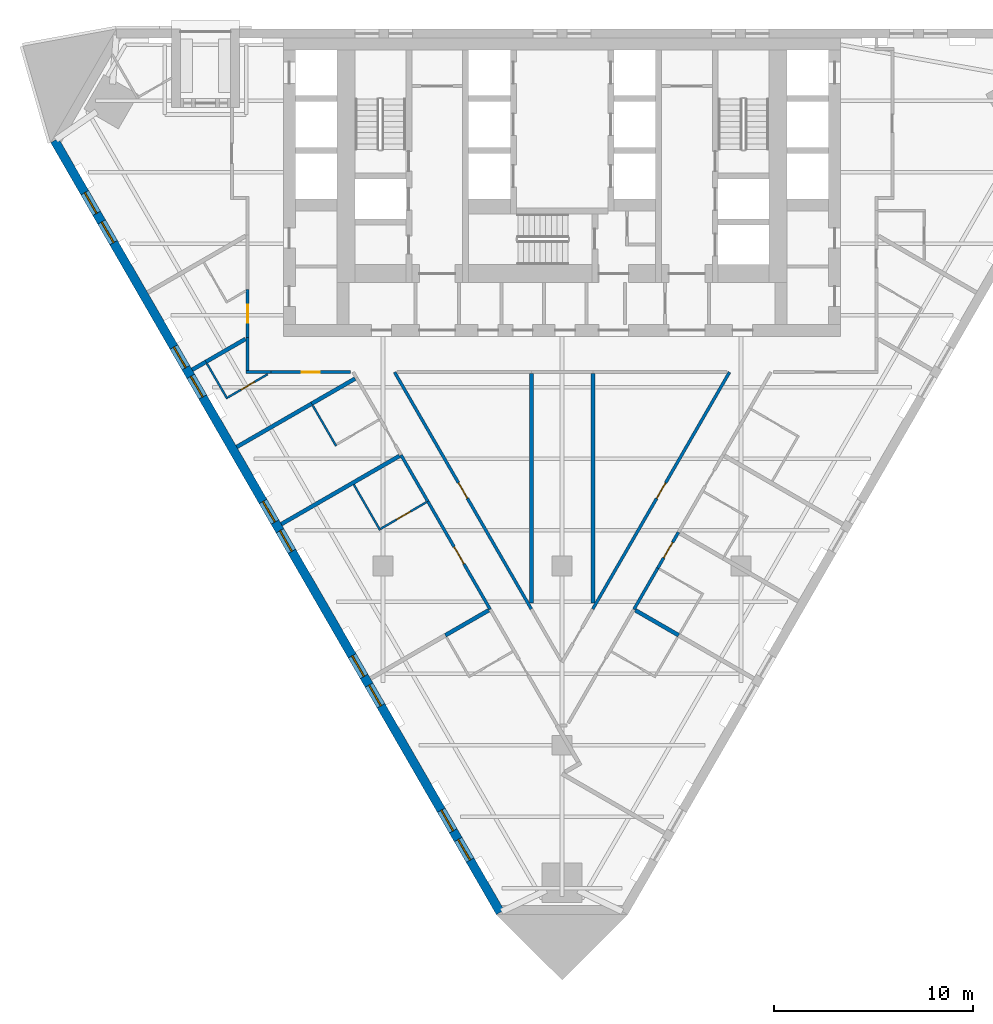
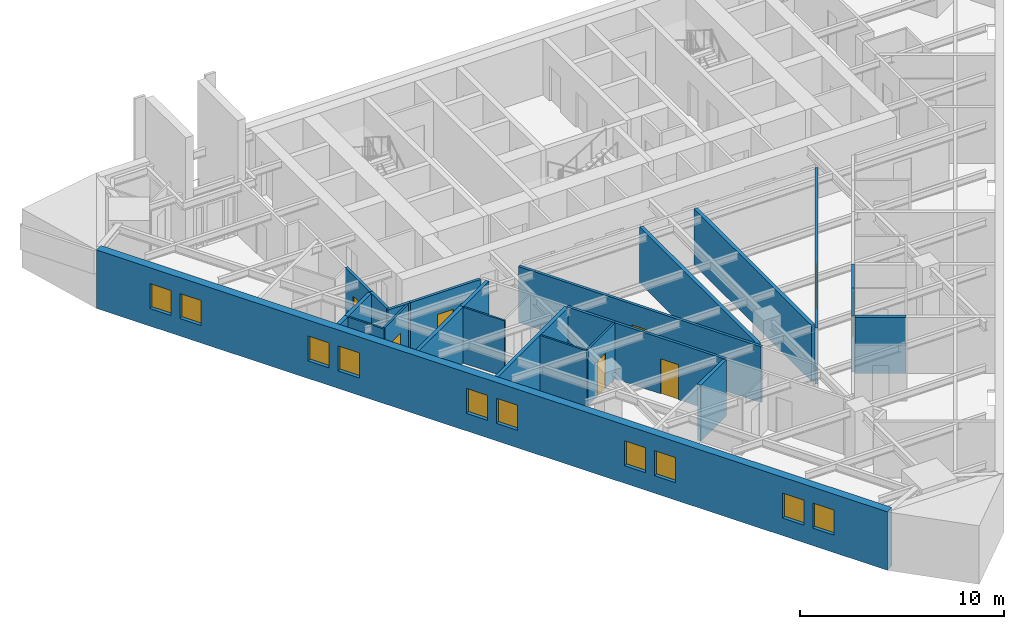
# One storey, part 3 of 10: 25 walls, 10 windows, 8 doors, 18 openings.
"""IFC4 building model written with IfcOpenShell, lengths in metres."""

import ifcopenshell
import ifcopenshell.guid

model = None  # the IFC model being written
_history = None  # IfcOwnerHistory: only IFC2X3 demands one
_inside = {}  # id of a spatial element -> (the spatial element, [elements in it])
_under = {}  # id of a project, library or spatial element -> (it, [spatial elements below it])
_declared = {}  # id of a project -> (the project, [libraries it declares])
_typed = {}  # id of a type object -> (the type object, [elements of that type])
_made_of = {}  # id of a material, layer set ... -> (it, [elements and type objects made of it])


def new_model(schema):
    """Start an empty IFC model of exactly this schema.

    Asked for "IFC4X3", IfcOpenShell would pick the latest addendum, in which some entities
    have other attributes; the version numbers below select the first issue.
    IFC2X3 requires an IfcOwnerHistory on every rooted entity: one is made here for all.
    """
    global model, _history
    if schema == "IFC4X3":
        model = ifcopenshell.file(schema_version=(4, 3, 0, 0))
    else:
        model = ifcopenshell.file(schema=schema)
    _inside.clear()
    _under.clear()
    _declared.clear()
    _typed.clear()
    _made_of.clear()
    _history = None
    if model.schema == "IFC2X3":
        org = make("IfcOrganization", Name="unknown")
        user = make(
            "IfcPersonAndOrganization",
            ThePerson=make("IfcPerson", FamilyName="unknown"),
            TheOrganization=org,
        )
        app = make(
            "IfcApplication",
            ApplicationDeveloper=org,
            Version="unknown",
            ApplicationFullName="unknown",
            ApplicationIdentifier="unknown",
        )
        _history = make(
            "IfcOwnerHistory",
            OwningUser=user,
            OwningApplication=app,
            ChangeAction="ADDED",
            CreationDate=0,
        )
    return model


def make(cls, **values):
    """One entity of the class cls with the attributes given. An attribute that is None is left unset."""
    return model.create_entity(
        cls, **{name: value for name, value in values.items() if value is not None}
    )


def rooted(cls, **values):
    """An entity with a GlobalId (a new one), such as an element, a storey or a relation."""
    return make(cls, GlobalId=ifcopenshell.guid.new(), OwnerHistory=_history, **values)


def si_unit(unit_type, name, prefix=None):
    """IfcSIUnit, for example si_unit("LENGTHUNIT", "METRE", prefix="MILLI")."""
    return make("IfcSIUnit", UnitType=unit_type, Prefix=prefix, Name=name)


def assignment(units):
    """IfcUnitAssignment: the units of a project."""
    return None if units is None else make("IfcUnitAssignment", Units=units)


def point(xyz):
    """IfcCartesianPoint."""
    return None if xyz is None else make("IfcCartesianPoint", Coordinates=xyz)


def direction(xyz):
    """IfcDirection."""
    return None if xyz is None else make("IfcDirection", DirectionRatios=xyz)


def frame(location, z_axis=None, x_axis=None):
    """IfcAxis2Placement3D, a coordinate frame: its origin and axes. An axis left out is left unset."""
    return make(
        "IfcAxis2Placement3D",
        Location=point(location),
        Axis=direction(z_axis),
        RefDirection=direction(x_axis),
    )


def frame_2d(location, x_axis=None):
    """IfcAxis2Placement2D, a coordinate frame in the plane: its origin and x axis."""
    return make(
        "IfcAxis2Placement2D", Location=point(location), RefDirection=direction(x_axis)
    )


def origin():
    """The frame at (0, 0, 0) with its axes left unset."""
    return frame((0.0, 0.0, 0.0))


def place(relative_to, where):
    """IfcLocalPlacement: puts the frame where relative to a parent placement (None: the world)."""
    return make(
        "IfcLocalPlacement", PlacementRelTo=relative_to, RelativePlacement=where
    )


def context(
    kind, dimensions, precision=None, world=None, true_north=None, identifier=None
):
    """IfcGeometricRepresentationContext, for example the 3D "Model" context."""
    return make(
        "IfcGeometricRepresentationContext",
        ContextIdentifier=identifier,
        ContextType=kind,
        CoordinateSpaceDimension=dimensions,
        Precision=precision,
        WorldCoordinateSystem=world,
        TrueNorth=true_north,
    )


def subcontext(parent, identifier, kind, view, scale=None):
    """IfcGeometricRepresentationSubContext, for example "Body" below "Model"."""
    return make(
        "IfcGeometricRepresentationSubContext",
        ContextIdentifier=identifier,
        ContextType=kind,
        ParentContext=parent,
        TargetScale=scale,
        TargetView=view,
    )


def project(units=None, contexts=None):
    """IfcProject with its units and contexts."""
    return rooted(
        "IfcProject",
        Name="project",
        RepresentationContexts=contexts,
        UnitsInContext=assignment(units),
    )


def spatial(cls, under=None, at=None, **own):
    """A site, building, storey or space (cls), placed at a placement, below another one or the project."""
    s = rooted(cls, ObjectPlacement=at, **own)
    if under is not None:
        _under.setdefault(under.id(), (under, []))[1].append(s)
    return s


def polyline(points):
    """IfcPolyline through the points."""
    return make("IfcPolyline", Points=[point(p) for p in points])


def profile(cls, at=None, kind="AREA", **sizes):
    """A parametric profile (cls). Its sizes go by their IFC names, for example OverallWidth=200.0."""
    return make(cls, ProfileType=kind, Position=at, **sizes)


def rectangle(**sizes):
    """IfcRectangleProfileDef."""
    return profile("IfcRectangleProfileDef", **sizes)


def outline(outer, holes=None, kind="AREA"):
    """IfcArbitraryClosedProfileDef: a profile drawn as a closed curve; with holes, ...WithVoids."""
    if holes is None:
        return make("IfcArbitraryClosedProfileDef", ProfileType=kind, OuterCurve=outer)
    return make(
        "IfcArbitraryProfileDefWithVoids",
        ProfileType=kind,
        OuterCurve=outer,
        InnerCurves=holes,
    )


def extrude(swept, where, along, depth):
    """IfcExtrudedAreaSolid: the profile swept, set in the frame where, extruded along a direction by depth."""
    return make(
        "IfcExtrudedAreaSolid",
        SweptArea=swept,
        Position=where,
        ExtrudedDirection=direction(along),
        Depth=depth,
    )


def shape(context_of_items, identifier, shape_type, items):
    """IfcShapeRepresentation: the items that make up one representation, for example the "Body"."""
    return make(
        "IfcShapeRepresentation",
        ContextOfItems=context_of_items,
        RepresentationIdentifier=identifier,
        RepresentationType=shape_type,
        Items=items,
    )


def material(Name=None, Category=None):
    """IfcMaterial."""
    return make("IfcMaterial", Name=Name, Category=Category)


def layer(
    of_material, thickness, ventilated=None, Name=None, Category=None, Priority=None
):
    """IfcMaterialLayer: one layer of a wall or slab, of a material (None: an air gap)."""
    return make(
        "IfcMaterialLayer",
        Material=of_material,
        LayerThickness=thickness,
        IsVentilated=ventilated,
        Name=Name,
        Category=Category,
        Priority=Priority,
    )


def layer_set(layers, Name=None):
    """IfcMaterialLayerSet."""
    return make("IfcMaterialLayerSet", MaterialLayers=layers, LayerSetName=Name)


def made_of(thing, what):
    """Note that an element or type object is made of a material, layer set ...; save() writes the relation."""
    if what is not None:
        _made_of.setdefault(what.id(), (what, []))[1].append(thing)
    return thing


def type_object(cls, material=None, **own):
    """A type object (cls), such as IfcWallType, which elements share."""
    return made_of(rooted(cls, **own), material)


def element(
    cls,
    number,
    at=None,
    inside=None,
    cuts=None,
    type_object=None,
    material=None,
    context=None,
    identifier="Body",
    shape_type=None,
    held_by="IfcProductDefinitionShape",
    body=None,
    shapes=None,
    **own,
):
    """One element of the class cls, such as IfcWall. Its Tag is "e" and its number.

    at: its placement. inside: the storey or other place that contains it. cuts: it is an
    opening in that element (IfcRelVoidsElement). A single representation is given by context,
    identifier, shape_type and body (its items); several are given by shapes. held_by: the class
    of the entity that holds the representations. save() writes the other relations.
    """
    e = rooted(cls, Tag="e%d" % number, ObjectPlacement=at, **own)
    if body is not None:
        shapes = [shape(context, identifier, shape_type, body)]
    if shapes is not None:
        e.Representation = make(held_by, Representations=shapes)
    if inside is not None:
        _inside.setdefault(inside.id(), (inside, []))[1].append(e)
    if cuts is not None:
        rooted(
            "IfcRelVoidsElement", RelatingBuildingElement=cuts, RelatedOpeningElement=e
        )
    if type_object is not None:
        _typed.setdefault(type_object.id(), (type_object, []))[1].append(e)
    return made_of(e, material)


def fill(opening, filler):
    """IfcRelFillsElement: the door or window that sits in an opening."""
    return rooted(
        "IfcRelFillsElement",
        RelatingOpeningElement=opening,
        RelatedBuildingElement=filler,
    )


def aggregate(whole, parts):
    """IfcRelAggregates: a whole, such as a stair, and the parts it consists of."""
    return rooted("IfcRelAggregates", RelatingObject=whole, RelatedObjects=parts)


def save(model, path):
    """Write the relations noted so far, then the file.

    IfcRelAggregates (storeys below a building ...), IfcRelContainedInSpatialStructure (elements
    in a storey), IfcRelDefinesByType, IfcRelAssociatesMaterial and IfcRelDeclares: one each for
    every whole, place, type object, material and project.
    """
    for whole, parts in _under.values():
        aggregate(whole, parts)
    for where, things in _inside.values():
        rooted(
            "IfcRelContainedInSpatialStructure",
            RelatedElements=things,
            RelatingStructure=where,
        )
    for kind, things in _typed.values():
        rooted("IfcRelDefinesByType", RelatedObjects=things, RelatingType=kind)
    for what, things in _made_of.values():
        rooted("IfcRelAssociatesMaterial", RelatedObjects=things, RelatingMaterial=what)
    for by, libraries in _declared.values():
        rooted("IfcRelDeclares", RelatingContext=by, RelatedDefinitions=libraries)
    model.write(path)


model = new_model("IFC4")

# Units and contexts
model_context = context("Model", 3, precision=1e-05, world=origin(), true_north=direction((0.0, 1.0)))
body_context = subcontext(model_context, "Body", "Model", "MODEL_VIEW")
ifc_project = project(units=[si_unit("LENGTHUNIT", "METRE"), si_unit("AREAUNIT", "SQUARE_METRE"), si_unit("VOLUMEUNIT", "CUBIC_METRE"), si_unit("PLANEANGLEUNIT", "RADIAN"), si_unit("MASSUNIT", "GRAM", prefix="KILO")], contexts=[model_context])

# Site, building, storey
site_placement = place(None, origin())
site = spatial("IfcSite", under=ifc_project, at=site_placement, CompositionType="ELEMENT")
building_placement = place(site_placement, origin())
building = spatial("IfcBuilding", under=site, at=building_placement, Name="Aloe Facet Convention Tower", CompositionType="ELEMENT")
storey_placement = place(building_placement, frame((0.0, 0.0, 45.5)))
storey = spatial("IfcBuildingStorey", under=building, at=storey_placement, Name="L09", CompositionType="ELEMENT", Elevation=45.5)

# Wall, openings, windows
ifc_material_1 = material(Name="Precast concrete C40/50", Category="concrete")
ifc_layer_1 = layer(ifc_material_1, 0.449951171875)
ifc_layer_set_1 = layer_set([ifc_layer_1], Name="EV-WALL-STONE")
wall_type_1 = type_object("IfcWallType", Name="EV-WALL-STONE", PredefinedType="SOLIDWALL", material=ifc_layer_set_1)
wall_1_placement = place(storey_placement, frame((54.494873046875, 129.396728515625, -0.14990234375), z_axis=(0.0, 0.0, 1.0), x_axis=(0.499999201451, -0.866025864826, 0.0)))
wall_1 = element("IfcWall", 1, at=wall_1_placement, inside=storey, type_object=wall_type_1, Name="EW-L09-W01", PredefinedType="SOLIDWALL", context=body_context, shape_type="SweptSolid", body=[
    extrude(outline(polyline([(44.800048828125, 0.0), (44.800048828125, 3.5), (0.0, 3.5), (0.0, 0.0), (44.800048828125, 0.0)])), frame((0.0, 0.22509765625, 0.0), z_axis=(0.0, -1.0, 0.0), x_axis=(1.0, 0.0, 0.0)), (0.0, 0.0, 1.0), 0.449951171875),
])
opening_1_placement = place(wall_1_placement, frame((3.030029296875, 0.0, 1.050048828125)))
opening_1 = element("IfcOpeningElement", 2, at=opening_1_placement, cuts=wall_1, Name="Opening W-L09-W01", PredefinedType="OPENING", context=body_context, shape_type="SweptSolid", body=[
    extrude(rectangle(XDim=1.199951171875, YDim=1.5, at=frame_2d((0.60009765625, 0.75))), frame((0.0, 0.23486328125, 0.0), z_axis=(0.0, -1.0, 0.0), x_axis=(1.0, 0.0, 0.0)), (0.0, 0.0, 1.0), 0.469970703125),
])
opening_2_placement = place(wall_1_placement, frame((4.72998046875, 0.0, 1.050048828125)))
opening_2 = element("IfcOpeningElement", 3, at=opening_2_placement, cuts=wall_1, Name="Opening W-L09-W02", PredefinedType="OPENING", context=body_context, shape_type="SweptSolid", body=[
    extrude(rectangle(XDim=1.199951171875, YDim=1.5, at=frame_2d((0.60009765625, 0.75))), frame((0.0, 0.23486328125, 0.0), z_axis=(0.0, -1.0, 0.0), x_axis=(1.0, 0.0, 0.0)), (0.0, 0.0, 1.0), 0.469970703125),
])
opening_3_placement = place(wall_1_placement, frame((11.989990234375, 0.0, 1.050048828125)))
opening_3 = element("IfcOpeningElement", 4, at=opening_3_placement, cuts=wall_1, Name="Opening W-L09-W03", PredefinedType="OPENING", context=body_context, shape_type="SweptSolid", body=[
    extrude(rectangle(XDim=1.199951171875, YDim=1.5, at=frame_2d((0.60009765625, 0.75))), frame((0.0, 0.23486328125, 0.0), z_axis=(0.0, -1.0, 0.0), x_axis=(1.0, 0.0, 0.0)), (0.0, 0.0, 1.0), 0.469970703125),
])
opening_4_placement = place(wall_1_placement, frame((13.68994140625, 0.0, 1.050048828125)))
opening_4 = element("IfcOpeningElement", 5, at=opening_4_placement, cuts=wall_1, Name="Opening W-L09-W04", PredefinedType="OPENING", context=body_context, shape_type="SweptSolid", body=[
    extrude(rectangle(XDim=1.199951171875, YDim=1.5, at=frame_2d((0.60009765625, 0.75))), frame((0.0, 0.23486328125, 0.0), z_axis=(0.0, -1.0, 0.0), x_axis=(1.0, 0.0, 0.0)), (0.0, 0.0, 1.0), 0.469970703125),
])
opening_5_placement = place(wall_1_placement, frame((20.949951171875, 0.0, 1.050048828125)))
opening_5 = element("IfcOpeningElement", 6, at=opening_5_placement, cuts=wall_1, Name="Opening W-L09-W05", PredefinedType="OPENING", context=body_context, shape_type="SweptSolid", body=[
    extrude(rectangle(XDim=1.199951171875, YDim=1.5, at=frame_2d((0.60009765625, 0.75))), frame((0.0, 0.23486328125, 0.0), z_axis=(0.0, -1.0, 0.0), x_axis=(1.0, 0.0, 0.0)), (0.0, 0.0, 1.0), 0.469970703125),
])
opening_6_placement = place(wall_1_placement, frame((22.64990234375, 0.0, 1.050048828125)))
opening_6 = element("IfcOpeningElement", 7, at=opening_6_placement, cuts=wall_1, Name="Opening W-L09-W06", PredefinedType="OPENING", context=body_context, shape_type="SweptSolid", body=[
    extrude(rectangle(XDim=1.199951171875, YDim=1.5, at=frame_2d((0.60009765625, 0.75))), frame((0.0, 0.23486328125, 0.0), z_axis=(0.0, -1.0, 0.0), x_axis=(1.0, 0.0, 0.0)), (0.0, 0.0, 1.0), 0.469970703125),
])
opening_7_placement = place(wall_1_placement, frame((29.909912109375, 0.0, 1.050048828125)))
opening_7 = element("IfcOpeningElement", 8, at=opening_7_placement, cuts=wall_1, Name="Opening W-L09-W07", PredefinedType="OPENING", context=body_context, shape_type="SweptSolid", body=[
    extrude(rectangle(XDim=1.199951171875, YDim=1.5, at=frame_2d((0.60009765625, 0.75))), frame((0.0, 0.23486328125, 0.0), z_axis=(0.0, -1.0, 0.0), x_axis=(1.0, 0.0, 0.0)), (0.0, 0.0, 1.0), 0.469970703125),
])
opening_8_placement = place(wall_1_placement, frame((31.610107421875, 0.0, 1.050048828125)))
opening_8 = element("IfcOpeningElement", 9, at=opening_8_placement, cuts=wall_1, Name="Opening W-L09-W08", PredefinedType="OPENING", context=body_context, shape_type="SweptSolid", body=[
    extrude(rectangle(XDim=1.199951171875, YDim=1.5, at=frame_2d((0.60009765625, 0.75))), frame((0.0, 0.23486328125, 0.0), z_axis=(0.0, -1.0, 0.0), x_axis=(1.0, 0.0, 0.0)), (0.0, 0.0, 1.0), 0.469970703125),
])
opening_9_placement = place(wall_1_placement, frame((38.8701171875, 0.0, 1.050048828125)))
opening_9 = element("IfcOpeningElement", 10, at=opening_9_placement, cuts=wall_1, Name="Opening W-L09-W09", PredefinedType="OPENING", context=body_context, shape_type="SweptSolid", body=[
    extrude(rectangle(XDim=1.199951171875, YDim=1.5, at=frame_2d((0.60009765625, 0.75))), frame((0.0, 0.23486328125, 0.0), z_axis=(0.0, -1.0, 0.0), x_axis=(1.0, 0.0, 0.0)), (0.0, 0.0, 1.0), 0.469970703125),
])
opening_10_placement = place(wall_1_placement, frame((40.570068359375, 0.0, 1.050048828125)))
opening_10 = element("IfcOpeningElement", 11, at=opening_10_placement, cuts=wall_1, Name="Opening W-L09-W10", PredefinedType="OPENING", context=body_context, shape_type="SweptSolid", body=[
    extrude(rectangle(XDim=1.199951171875, YDim=1.5, at=frame_2d((0.60009765625, 0.75))), frame((0.0, 0.23486328125, 0.0), z_axis=(0.0, -1.0, 0.0), x_axis=(1.0, 0.0, 0.0)), (0.0, 0.0, 1.0), 0.469970703125),
])
ifc_material_2 = material(Name="Aluminium frame, clear double glazing", Category="aluminium")
window_type = type_object("IfcWindowType", Name="EV-WIN-H12", PartitioningType="SINGLE_PANEL", PredefinedType="WINDOW", material=ifc_material_2)
window_1_placement = place(opening_1_placement, origin())
window_1 = element("IfcWindow", 12, at=window_1_placement, inside=storey, type_object=window_type, Name="W-L09-W01", OverallHeight=1.5, OverallWidth=1.199951171875, PartitioningType="SINGLE_PANEL", PredefinedType="WINDOW", context=body_context, shape_type="SweptSolid", body=[
    extrude(rectangle(XDim=1.199951171875, YDim=1.5, at=frame_2d((0.60009765625, 0.75))), frame((0.0, 0.030029296875, 0.0), z_axis=(0.0, -1.0, 0.0), x_axis=(1.0, 0.0, 0.0)), (0.0, 0.0, 1.0), 0.06005859375),
])
fill(opening_1, window_1)
window_2_placement = place(opening_2_placement, origin())
window_2 = element("IfcWindow", 13, at=window_2_placement, inside=storey, type_object=window_type, Name="W-L09-W02", OverallHeight=1.5, OverallWidth=1.199951171875, PartitioningType="SINGLE_PANEL", PredefinedType="WINDOW", context=body_context, shape_type="SweptSolid", body=[
    extrude(rectangle(XDim=1.199951171875, YDim=1.5, at=frame_2d((0.60009765625, 0.75))), frame((0.0, 0.030029296875, 0.0), z_axis=(0.0, -1.0, 0.0), x_axis=(1.0, 0.0, 0.0)), (0.0, 0.0, 1.0), 0.06005859375),
])
fill(opening_2, window_2)
window_3_placement = place(opening_3_placement, origin())
window_3 = element("IfcWindow", 14, at=window_3_placement, inside=storey, type_object=window_type, Name="W-L09-W03", OverallHeight=1.5, OverallWidth=1.199951171875, PartitioningType="SINGLE_PANEL", PredefinedType="WINDOW", context=body_context, shape_type="SweptSolid", body=[
    extrude(rectangle(XDim=1.199951171875, YDim=1.5, at=frame_2d((0.60009765625, 0.75))), frame((0.0, 0.030029296875, 0.0), z_axis=(0.0, -1.0, 0.0), x_axis=(1.0, 0.0, 0.0)), (0.0, 0.0, 1.0), 0.06005859375),
])
fill(opening_3, window_3)
window_4_placement = place(opening_4_placement, origin())
window_4 = element("IfcWindow", 15, at=window_4_placement, inside=storey, type_object=window_type, Name="W-L09-W04", OverallHeight=1.5, OverallWidth=1.199951171875, PartitioningType="SINGLE_PANEL", PredefinedType="WINDOW", context=body_context, shape_type="SweptSolid", body=[
    extrude(rectangle(XDim=1.199951171875, YDim=1.5, at=frame_2d((0.60009765625, 0.75))), frame((0.0, 0.030029296875, 0.0), z_axis=(0.0, -1.0, 0.0), x_axis=(1.0, 0.0, 0.0)), (0.0, 0.0, 1.0), 0.06005859375),
])
fill(opening_4, window_4)
window_5_placement = place(opening_5_placement, origin())
window_5 = element("IfcWindow", 16, at=window_5_placement, inside=storey, type_object=window_type, Name="W-L09-W05", OverallHeight=1.5, OverallWidth=1.199951171875, PartitioningType="SINGLE_PANEL", PredefinedType="WINDOW", context=body_context, shape_type="SweptSolid", body=[
    extrude(rectangle(XDim=1.199951171875, YDim=1.5, at=frame_2d((0.60009765625, 0.75))), frame((0.0, 0.030029296875, 0.0), z_axis=(0.0, -1.0, 0.0), x_axis=(1.0, 0.0, 0.0)), (0.0, 0.0, 1.0), 0.06005859375),
])
fill(opening_5, window_5)
window_6_placement = place(opening_6_placement, origin())
window_6 = element("IfcWindow", 17, at=window_6_placement, inside=storey, type_object=window_type, Name="W-L09-W06", OverallHeight=1.5, OverallWidth=1.199951171875, PartitioningType="SINGLE_PANEL", PredefinedType="WINDOW", context=body_context, shape_type="SweptSolid", body=[
    extrude(rectangle(XDim=1.199951171875, YDim=1.5, at=frame_2d((0.60009765625, 0.75))), frame((0.0, 0.030029296875, 0.0), z_axis=(0.0, -1.0, 0.0), x_axis=(1.0, 0.0, 0.0)), (0.0, 0.0, 1.0), 0.06005859375),
])
fill(opening_6, window_6)
window_7_placement = place(opening_7_placement, origin())
window_7 = element("IfcWindow", 18, at=window_7_placement, inside=storey, type_object=window_type, Name="W-L09-W07", OverallHeight=1.5, OverallWidth=1.199951171875, PartitioningType="SINGLE_PANEL", PredefinedType="WINDOW", context=body_context, shape_type="SweptSolid", body=[
    extrude(rectangle(XDim=1.199951171875, YDim=1.5, at=frame_2d((0.60009765625, 0.75))), frame((0.0, 0.030029296875, 0.0), z_axis=(0.0, -1.0, 0.0), x_axis=(1.0, 0.0, 0.0)), (0.0, 0.0, 1.0), 0.06005859375),
])
fill(opening_7, window_7)
window_8_placement = place(opening_8_placement, origin())
window_8 = element("IfcWindow", 19, at=window_8_placement, inside=storey, type_object=window_type, Name="W-L09-W08", OverallHeight=1.5, OverallWidth=1.199951171875, PartitioningType="SINGLE_PANEL", PredefinedType="WINDOW", context=body_context, shape_type="SweptSolid", body=[
    extrude(rectangle(XDim=1.199951171875, YDim=1.5, at=frame_2d((0.60009765625, 0.75))), frame((0.0, 0.030029296875, 0.0), z_axis=(0.0, -1.0, 0.0), x_axis=(1.0, 0.0, 0.0)), (0.0, 0.0, 1.0), 0.06005859375),
])
fill(opening_8, window_8)
window_9_placement = place(opening_9_placement, origin())
window_9 = element("IfcWindow", 20, at=window_9_placement, inside=storey, type_object=window_type, Name="W-L09-W09", OverallHeight=1.5, OverallWidth=1.199951171875, PartitioningType="SINGLE_PANEL", PredefinedType="WINDOW", context=body_context, shape_type="SweptSolid", body=[
    extrude(rectangle(XDim=1.199951171875, YDim=1.5, at=frame_2d((0.60009765625, 0.75))), frame((0.0, 0.030029296875, 0.0), z_axis=(0.0, -1.0, 0.0), x_axis=(1.0, 0.0, 0.0)), (0.0, 0.0, 1.0), 0.06005859375),
])
fill(opening_9, window_9)
window_10_placement = place(opening_10_placement, origin())
window_10 = element("IfcWindow", 21, at=window_10_placement, inside=storey, type_object=window_type, Name="W-L09-W10", OverallHeight=1.5, OverallWidth=1.199951171875, PartitioningType="SINGLE_PANEL", PredefinedType="WINDOW", context=body_context, shape_type="SweptSolid", body=[
    extrude(rectangle(XDim=1.199951171875, YDim=1.5, at=frame_2d((0.60009765625, 0.75))), frame((0.0, 0.030029296875, 0.0), z_axis=(0.0, -1.0, 0.0), x_axis=(1.0, 0.0, 0.0)), (0.0, 0.0, 1.0), 0.06005859375),
])
fill(opening_10, window_10)

# Wall, opening, door
ifc_material_3 = material(Name="Gypsum board partition on steel studs", Category="steel")
ifc_layer_2 = layer(ifc_material_3, 0.14990234375)
ifc_layer_set_2 = layer_set([ifc_layer_2], Name="IN-W-CORR")
wall_type_2 = type_object("IfcWallType", Name="IN-W-CORR", PredefinedType="PARTITIONING", material=ifc_layer_set_2)
wall_2_placement = place(storey_placement, frame((73.253662109375, 111.255615234375, 0.0), z_axis=(0.0, 0.0, 1.0), x_axis=(0.5000044583, -0.866022829768, 0.0)))
wall_2 = element("IfcWall", 22, at=wall_2_placement, inside=storey, type_object=wall_type_2, Name="Partition L09-W020", PredefinedType="PARTITIONING", context=body_context, shape_type="SweptSolid", body=[
    extrude(rectangle(XDim=6.27001953125, YDim=0.14990234375, at=frame_2d((3.135009765625, 0.0))), origin(), (0.0, 0.0, 1.0), 3.35009765625),
])
opening_11_placement = place(wall_2_placement, frame((2.635009765625, 0.0, 0.0)))
opening_11 = element("IfcOpeningElement", 23, at=opening_11_placement, cuts=wall_2, Name="Opening L09-006", PredefinedType="OPENING", context=body_context, shape_type="SweptSolid", body=[
    extrude(rectangle(XDim=1.0, YDim=2.10009765625, at=frame_2d((0.5, 1.050048828125))), frame((0.0, 0.0849609375, 0.0), z_axis=(0.0, -1.0, 0.0), x_axis=(1.0, 0.0, 0.0)), (0.0, 0.0, 1.0), 0.169921875),
])
ifc_material_4 = material(Name="Hardwood flush door FD30S", Category="wood")
door_type_1 = type_object("IfcDoorType", Name="IN-D-WIDE", OperationType="SINGLE_SWING_LEFT", PredefinedType="DOOR", material=ifc_material_4)
door_1_placement = place(opening_11_placement, origin())
door_1 = element("IfcDoor", 24, at=door_1_placement, inside=storey, type_object=door_type_1, Name="Door L09-006", OperationType="SINGLE_SWING_LEFT", OverallHeight=2.10009765625, OverallWidth=1.0, PredefinedType="DOOR", context=body_context, shape_type="SweptSolid", body=[
    extrude(rectangle(XDim=1.0, YDim=2.10009765625, at=frame_2d((0.5, 1.050048828125))), frame((0.0, 0.02490234375, 0.0), z_axis=(0.0, -1.0, 0.0), x_axis=(1.0, 0.0, 0.0)), (0.0, 0.0, 1.0), 0.050048828125),
])
fill(opening_11, door_1)

# Wall
wall_3_placement = place(storey_placement, frame((83.611328125, 105.82568359375, 0.0), z_axis=(0.0, 0.0, 1.0), x_axis=(0.500077600433, 0.865980596518, 0.0)))
element("IfcWall", 25, at=wall_3_placement, inside=storey, type_object=wall_type_2, Name="Partition L09-W023", PredefinedType="PARTITIONING", context=body_context, shape_type="SweptSolid", body=[
    extrude(rectangle(XDim=2.39990234375, YDim=0.14990234375, at=frame_2d((1.199951171875, 0.0))), origin(), (0.0, 0.0, 1.0), 3.35009765625),
])

# Wall, opening, door
wall_4_placement = place(storey_placement, frame((71.58251953125, 117.75, 0.0), z_axis=(0.0, 0.0, 1.0), x_axis=(0.500001770766, -0.86602438143, 0.0)))
wall_4 = element("IfcWall", 26, at=wall_4_placement, inside=storey, type_object=wall_type_2, Name="Partition L09-W025", PredefinedType="PARTITIONING", context=body_context, shape_type="SweptSolid", body=[
    extrude(rectangle(XDim=13.7451171875, YDim=0.14990234375, at=frame_2d((6.87255859375, 0.0))), origin(), (0.0, 0.0, 1.0), 3.35009765625),
])
opening_12_placement = place(wall_4_placement, frame((6.42236328125, 0.0, 0.0)))
opening_12 = element("IfcOpeningElement", 27, at=opening_12_placement, cuts=wall_4, Name="Opening L09-013", PredefinedType="OPENING", context=body_context, shape_type="SweptSolid", body=[
    extrude(rectangle(XDim=0.89990234375, YDim=2.10009765625, at=frame_2d((0.449951171875, 1.050048828125))), frame((0.0, 0.0849609375, 0.0), z_axis=(0.0, -1.0, 0.0), x_axis=(1.0, 0.0, 0.0)), (0.0, 0.0, 1.0), 0.169921875),
])
ifc_material_5 = material(Name="Hardwood flush door FD30S", Category="wood")
door_type_2 = type_object("IfcDoorType", Name="IN-D-GUEST", OperationType="SINGLE_SWING_LEFT", PredefinedType="DOOR", material=ifc_material_5)
door_2_placement = place(opening_12_placement, origin())
door_2 = element("IfcDoor", 28, at=door_2_placement, inside=storey, type_object=door_type_2, Name="Door L09-013", OperationType="SINGLE_SWING_LEFT", OverallHeight=2.10009765625, OverallWidth=0.89990234375, PredefinedType="DOOR", context=body_context, shape_type="SweptSolid", body=[
    extrude(rectangle(XDim=0.89990234375, YDim=2.10009765625, at=frame_2d((0.449951171875, 1.050048828125))), frame((0.0, 0.02490234375, 0.0), z_axis=(0.0, -1.0, 0.0), x_axis=(1.0, 0.0, 0.0)), (0.0, 0.0, 1.0), 0.050048828125),
])
fill(opening_12, door_2)

wall_5_placement = place(storey_placement, frame((81.544921875, 105.846435546875, 0.0), z_axis=(0.0, 0.0, 1.0), x_axis=(0.500001770766, 0.86602438143, 0.0)))
wall_5 = element("IfcWall", 29, at=wall_5_placement, inside=storey, type_object=wall_type_2, Name="Partition L09-W028", PredefinedType="PARTITIONING", context=body_context, shape_type="SweptSolid", body=[
    extrude(rectangle(XDim=13.7451171875, YDim=0.14990234375, at=frame_2d((6.87255859375, 0.0))), origin(), (0.0, 0.0, 1.0), 3.35009765625),
])
opening_13_placement = place(wall_5_placement, frame((6.42236328125, 0.0, 0.0)))
opening_13 = element("IfcOpeningElement", 30, at=opening_13_placement, cuts=wall_5, Name="Opening L09-015", PredefinedType="OPENING", context=body_context, shape_type="SweptSolid", body=[
    extrude(rectangle(XDim=0.89990234375, YDim=2.10009765625, at=frame_2d((0.449951171875, 1.050048828125))), frame((0.0, 0.0849609375, 0.0), z_axis=(0.0, -1.0, 0.0), x_axis=(1.0, 0.0, 0.0)), (0.0, 0.0, 1.0), 0.169921875),
])
door_3_placement = place(opening_13_placement, origin())
door_3 = element("IfcDoor", 31, at=door_3_placement, inside=storey, type_object=door_type_2, Name="Door L09-015", OperationType="SINGLE_SWING_LEFT", OverallHeight=2.10009765625, OverallWidth=0.89990234375, PredefinedType="DOOR", context=body_context, shape_type="SweptSolid", body=[
    extrude(rectangle(XDim=0.89990234375, YDim=2.10009765625, at=frame_2d((0.449951171875, 1.050048828125))), frame((0.0, 0.02490234375, 0.0), z_axis=(0.0, -1.0, 0.0), x_axis=(1.0, 0.0, 0.0)), (0.0, 0.0, 1.0), 0.050048828125),
])
fill(opening_13, door_3)

wall_6_placement = place(storey_placement, frame((84.8115234375, 107.904052734375, 0.0), z_axis=(0.0, 0.0, 1.0), x_axis=(0.499888406853, 0.866089822532, 0.0)))
wall_6 = element("IfcWall", 32, at=wall_6_placement, inside=storey, type_object=wall_type_2, Name="Partition L09-W033", PredefinedType="PARTITIONING", context=body_context, shape_type="SweptSolid", body=[
    extrude(rectangle(XDim=2.080078125, YDim=0.14990234375, at=frame_2d((1.0400390625, 0.0))), origin(), (0.0, 0.0, 1.0), 3.35009765625),
])
opening_14_placement = place(wall_6_placement, frame((0.590087890625, 0.0, 0.0)))
opening_14 = element("IfcOpeningElement", 33, at=opening_14_placement, cuts=wall_6, Name="Opening L09-009", PredefinedType="OPENING", context=body_context, shape_type="SweptSolid", body=[
    extrude(rectangle(XDim=0.89990234375, YDim=2.10009765625, at=frame_2d((0.449951171875, 1.050048828125))), frame((0.0, 0.0849609375, 0.0), z_axis=(0.0, -1.0, 0.0), x_axis=(1.0, 0.0, 0.0)), (0.0, 0.0, 1.0), 0.169921875),
])
door_4_placement = place(opening_14_placement, origin())
door_4 = element("IfcDoor", 34, at=door_4_placement, inside=storey, type_object=door_type_2, Name="Door L09-009", OperationType="SINGLE_SWING_LEFT", OverallHeight=2.10009765625, OverallWidth=0.89990234375, PredefinedType="DOOR", context=body_context, shape_type="SweptSolid", body=[
    extrude(rectangle(XDim=0.89990234375, YDim=2.10009765625, at=frame_2d((0.449951171875, 1.050048828125))), frame((0.0, 0.02490234375, 0.0), z_axis=(0.0, -1.0, 0.0), x_axis=(1.0, 0.0, 0.0)), (0.0, 0.0, 1.0), 0.050048828125),
])
fill(opening_14, door_4)

# Walls
wall_7_placement = place(storey_placement, frame((71.90869140625, 113.585205078125, 0.0), z_axis=(0.0, 0.0, 1.0), x_axis=(0.499994808408, -0.866028401131, 0.0)))
element("IfcWall", 35, at=wall_7_placement, inside=storey, type_object=wall_type_2, Name="Partition L09-W046", PredefinedType="PARTITIONING", context=body_context, shape_type="SweptSolid", body=[
    extrude(rectangle(XDim=2.68994140625, YDim=0.14990234375, at=frame_2d((1.344970703125, 0.0))), origin(), (0.0, 0.0, 1.0), 3.35009765625),
])
wall_8_placement = place(storey_placement, frame((64.125, 117.75, 0.0), z_axis=(0.0, 0.0, 1.0), x_axis=(1.0, 0.0, 0.0)))
element("IfcWall", 36, at=wall_8_placement, inside=storey, type_object=wall_type_2, Name="Partition L09-W061", PredefinedType="PARTITIONING", context=body_context, shape_type="SweptSolid", body=[
    extrude(rectangle(XDim=1.257080078125, YDim=0.14990234375, at=frame_2d((0.62841796875, 0.0))), origin(), (0.0, 0.0, 1.0), 3.35009765625),
])

# Wall, opening, door
wall_9_placement = place(storey_placement, frame((65.382080078125, 117.75, 0.0), z_axis=(0.0, 0.0, 1.0), x_axis=(1.0, 0.0, 0.0)))
wall_9 = element("IfcWall", 37, at=wall_9_placement, inside=storey, type_object=wall_type_2, Name="Partition L09-W063", PredefinedType="PARTITIONING", context=body_context, shape_type="SweptSolid", body=[
    extrude(rectangle(XDim=3.9921875, YDim=0.14990234375, at=frame_2d((1.99609375, 0.0))), origin(), (0.0, 0.0, 1.0), 3.35009765625),
])
opening_15_placement = place(wall_9_placement, frame((1.546142578125, 0.0, 0.0)))
opening_15 = element("IfcOpeningElement", 38, at=opening_15_placement, cuts=wall_9, Name="Opening L09-004", PredefinedType="OPENING", context=body_context, shape_type="SweptSolid", body=[
    extrude(rectangle(XDim=0.89990234375, YDim=2.10009765625, at=frame_2d((0.449951171875, 1.050048828125))), frame((0.0, 0.0849609375, 0.0), z_axis=(0.0, -1.0, 0.0), x_axis=(1.0, 0.0, 0.0)), (0.0, 0.0, 1.0), 0.169921875),
])
door_5_placement = place(opening_15_placement, origin())
door_5 = element("IfcDoor", 39, at=door_5_placement, inside=storey, type_object=door_type_2, Name="Door L09-004", OperationType="SINGLE_SWING_LEFT", OverallHeight=2.10009765625, OverallWidth=0.89990234375, PredefinedType="DOOR", context=body_context, shape_type="SweptSolid", body=[
    extrude(rectangle(XDim=0.89990234375, YDim=2.10009765625, at=frame_2d((0.449951171875, 1.050048828125))), frame((0.0, 0.02490234375, 0.0), z_axis=(0.0, -1.0, 0.0), x_axis=(1.0, 0.0, 0.0)), (0.0, 0.0, 1.0), 0.050048828125),
])
fill(opening_15, door_5)

# Wall
wall_10_placement = place(storey_placement, frame((64.199951171875, 117.824951171875, 0.0), z_axis=(0.0, 0.0, 1.0), x_axis=(0.0, 1.0, 0.0)))
element("IfcWall", 40, at=wall_10_placement, inside=storey, type_object=wall_type_2, Name="Partition L09-W072", PredefinedType="PARTITIONING", context=body_context, shape_type="SweptSolid", body=[
    extrude(rectangle(XDim=1.65576171875, YDim=0.14990234375, at=frame_2d((0.827880859375, 0.0))), origin(), (0.0, 0.0, 1.0), 3.35009765625),
])

# Wall, opening, door
wall_11_placement = place(storey_placement, frame((64.199951171875, 119.480712890625, 0.0), z_axis=(0.0, 0.0, 1.0), x_axis=(0.0, 1.0, 0.0)))
wall_11 = element("IfcWall", 41, at=wall_11_placement, inside=storey, type_object=wall_type_2, Name="Partition L09-W073", PredefinedType="PARTITIONING", context=body_context, shape_type="SweptSolid", body=[
    extrude(rectangle(XDim=2.413330078125, YDim=0.14990234375, at=frame_2d((1.20654296875, 0.0))), origin(), (0.0, 0.0, 1.0), 3.35009765625),
])
opening_16_placement = place(wall_11_placement, frame((0.756591796875, 0.0, 0.0)))
opening_16 = element("IfcOpeningElement", 42, at=opening_16_placement, cuts=wall_11, Name="Opening L09-003", PredefinedType="OPENING", context=body_context, shape_type="SweptSolid", body=[
    extrude(rectangle(XDim=0.89990234375, YDim=2.10009765625, at=frame_2d((0.449951171875, 1.050048828125))), frame((0.0, 0.0849609375, 0.0), z_axis=(0.0, -1.0, 0.0), x_axis=(1.0, 0.0, 0.0)), (0.0, 0.0, 1.0), 0.169921875),
])
door_6_placement = place(opening_16_placement, origin())
door_6 = element("IfcDoor", 43, at=door_6_placement, inside=storey, type_object=door_type_2, Name="Door L09-003", OperationType="SINGLE_SWING_LEFT", OverallHeight=2.10009765625, OverallWidth=0.89990234375, PredefinedType="DOOR", context=body_context, shape_type="SweptSolid", body=[
    extrude(rectangle(XDim=0.89990234375, YDim=2.10009765625, at=frame_2d((0.449951171875, 1.050048828125))), frame((0.0, 0.02490234375, 0.0), z_axis=(0.0, -1.0, 0.0), x_axis=(1.0, 0.0, 0.0)), (0.0, 0.0, 1.0), 0.050048828125),
])
fill(opening_16, door_6)

# Wall
ifc_material_6 = material(Name="Gypsum board partition on steel studs", Category="steel")
ifc_layer_3 = layer(ifc_material_6, 0.10009765625)
ifc_layer_set_3 = layer_set([ifc_layer_3], Name="IN-W-PART")
wall_type_3 = type_object("IfcWallType", Name="IN-W-PART", PredefinedType="PARTITIONING", material=ifc_layer_set_3)
wall_12_placement = place(storey_placement, frame((69.53369140625, 112.0986328125, 0.0), z_axis=(0.0, 0.0, 1.0), x_axis=(0.499993606316, -0.866029095148, 0.0)))
element("IfcWall", 44, at=wall_12_placement, inside=storey, type_object=wall_type_3, Name="Partition L09-W036", PredefinedType="PARTITIONING", context=body_context, shape_type="SweptSolid", body=[
    extrude(rectangle(XDim=2.64990234375, YDim=0.10009765625, at=frame_2d((1.324951171875, 0.0))), origin(), (0.0, 0.0, 1.0), 3.35009765625),
])

# Wall, opening, door
wall_13_placement = place(storey_placement, frame((70.885498046875, 109.877197265625, 0.0), z_axis=(0.0, 0.0, 1.0), x_axis=(0.864248761918, 0.503064685228, 0.0)))
wall_13 = element("IfcWall", 45, at=wall_13_placement, inside=storey, type_object=wall_type_3, Name="Partition L09-W040", PredefinedType="PARTITIONING", context=body_context, shape_type="SweptSolid", body=[
    extrude(rectangle(XDim=2.655029296875, YDim=0.10009765625, at=frame_2d((1.32763671875, 0.0))), origin(), (0.0, 0.0, 1.0), 3.35009765625),
])
opening_17_placement = place(wall_13_placement, frame((0.927490234375, 0.0, 0.0)))
opening_17 = element("IfcOpeningElement", 46, at=opening_17_placement, cuts=wall_13, Name="Opening L09-021", PredefinedType="OPENING", context=body_context, shape_type="SweptSolid", body=[
    extrude(rectangle(XDim=0.800048828125, YDim=2.10009765625, at=frame_2d((0.39990234375, 1.050048828125))), frame((0.0, 0.06005859375, 0.0), z_axis=(0.0, -1.0, 0.0), x_axis=(1.0, 0.0, 0.0)), (0.0, 0.0, 1.0), 0.1201171875),
])
ifc_material_7 = material(Name="Timber flush door", Category="wood")
door_type_3 = type_object("IfcDoorType", Name="IN-D-BATH", OperationType="SINGLE_SWING_LEFT", PredefinedType="DOOR", material=ifc_material_7)
door_7_placement = place(opening_17_placement, origin())
door_7 = element("IfcDoor", 47, at=door_7_placement, inside=storey, type_object=door_type_3, Name="Door L09-021", OperationType="SINGLE_SWING_LEFT", OverallHeight=2.10009765625, OverallWidth=0.800048828125, PredefinedType="DOOR", context=body_context, shape_type="SweptSolid", body=[
    extrude(rectangle(XDim=0.800048828125, YDim=2.10009765625, at=frame_2d((0.39990234375, 1.050048828125))), frame((0.0, 0.02490234375, 0.0), z_axis=(0.0, -1.0, 0.0), x_axis=(1.0, 0.0, 0.0)), (0.0, 0.0, 1.0), 0.050048828125),
])
fill(opening_17, door_7)

# Walls
wall_14_placement = place(storey_placement, frame((67.471923828125, 116.06982421875, 0.0), z_axis=(0.0, 0.0, 1.0), x_axis=(0.499954256575, -0.866051812152, 0.0)))
element("IfcWall", 48, at=wall_14_placement, inside=storey, type_object=wall_type_3, Name="Partition L09-W053", PredefinedType="PARTITIONING", context=body_context, shape_type="SweptSolid", body=[
    extrude(rectangle(XDim=2.340087890625, YDim=0.10009765625, at=frame_2d((1.169921875, 0.0))), origin(), (0.0, 0.0, 1.0), 3.35009765625),
])
wall_15_placement = place(storey_placement, frame((62.155517578125, 118.17333984375, 0.0), z_axis=(0.0, 0.0, 1.0), x_axis=(0.500026340207, -0.866010195725, 0.0)))
element("IfcWall", 49, at=wall_15_placement, inside=storey, type_object=wall_type_3, Name="Partition L09-W058", PredefinedType="PARTITIONING", context=body_context, shape_type="SweptSolid", body=[
    extrude(rectangle(XDim=2.0400390625, YDim=0.10009765625, at=frame_2d((1.02001953125, 0.0))), origin(), (0.0, 0.0, 1.0), 3.35009765625),
])

# Wall, opening, door
wall_16_placement = place(storey_placement, frame((63.202392578125, 116.480224609375, 0.0), z_axis=(0.0, 0.0, 1.0), x_axis=(0.864103474136, 0.503314202051, 0.0)))
wall_16 = element("IfcWall", 50, at=wall_16_placement, inside=storey, type_object=wall_type_3, Name="Partition L09-W062", PredefinedType="PARTITIONING", context=body_context, shape_type="SweptSolid", body=[
    extrude(rectangle(XDim=2.317626953125, YDim=0.10009765625, at=frame_2d((1.15869140625, 0.0))), origin(), (0.0, 0.0, 1.0), 3.35009765625),
])
opening_18_placement = place(wall_16_placement, frame((0.7587890625, 0.0, 0.0)))
opening_18 = element("IfcOpeningElement", 51, at=opening_18_placement, cuts=wall_16, Name="Opening L09-019", PredefinedType="OPENING", context=body_context, shape_type="SweptSolid", body=[
    extrude(rectangle(XDim=0.800048828125, YDim=2.10009765625, at=frame_2d((0.39990234375, 1.050048828125))), frame((0.0, 0.06005859375, 0.0), z_axis=(0.0, -1.0, 0.0), x_axis=(1.0, 0.0, 0.0)), (0.0, 0.0, 1.0), 0.1201171875),
])
door_8_placement = place(opening_18_placement, origin())
door_8 = element("IfcDoor", 52, at=door_8_placement, inside=storey, type_object=door_type_3, Name="Door L09-019", OperationType="SINGLE_SWING_LEFT", OverallHeight=2.10009765625, OverallWidth=0.800048828125, PredefinedType="DOOR", context=body_context, shape_type="SweptSolid", body=[
    extrude(rectangle(XDim=0.800048828125, YDim=2.10009765625, at=frame_2d((0.39990234375, 1.050048828125))), frame((0.0, 0.02490234375, 0.0), z_axis=(0.0, -1.0, 0.0), x_axis=(1.0, 0.0, 0.0)), (0.0, 0.0, 1.0), 0.050048828125),
])
fill(opening_18, door_8)

# Walls
ifc_material_8 = material(Name="Gypsum board partition on steel studs", Category="steel")
ifc_layer_4 = layer(ifc_material_8, 0.199951171875)
ifc_layer_set_4 = layer_set([ifc_layer_4], Name="IN-W-PARTY")
wall_type_4 = type_object("IfcWallType", Name="IN-W-PARTY", PredefinedType="PARTITIONING", material=ifc_layer_set_4)
for number, where, z_axis, x_axis, name in (
    (53, (83.68505859375, 105.783203125, 0.0), (0.0, 0.0, 1.0), (0.866006140796, -0.500033362991, 0.0), "Partition L09-W016"),
    (54, (74.136962890625, 104.525634765625, 0.0), (0.0, 0.0, 1.0), (0.866006140796, 0.500033362991, 0.0), "Partition L09-W019"),
):
    element("IfcWall", number, at=place(storey_placement, frame(where, z_axis=z_axis, x_axis=x_axis)), inside=storey, type_object=wall_type_4, Name=name, PredefinedType="PARTITIONING", context=body_context, shape_type="SweptSolid", body=[
        extrude(rectangle(XDim=2.514892578125, YDim=0.199951171875, at=frame_2d((1.25732421875, 0.0))), origin(), (0.0, 0.0, 1.0), 3.35009765625),
    ])
for number, where, z_axis, x_axis, name in (
    (55, (78.455078125, 106.1416015625, 0.0), (0.0, 0.0, 1.0), (0.0, 1.0, 0.0), "Partition L09-W026"),
    (56, (81.544921875, 106.1416015625, 0.0), (0.0, 0.0, 1.0), (0.0, 1.0, 0.0), "Partition L09-W027"),
):
    element("IfcWall", number, at=place(storey_placement, frame(where, z_axis=z_axis, x_axis=x_axis)), inside=storey, type_object=wall_type_4, Name=name, PredefinedType="PARTITIONING", context=body_context, shape_type="SweptSolid", body=[
        extrude(rectangle(XDim=11.533447265625, YDim=0.199951171875, at=frame_2d((5.7666015625, 0.0))), origin(), (0.0, 0.0, 1.0), 3.35009765625),
    ])
wall_17_placement = place(storey_placement, frame((65.8896484375, 110.1103515625, 0.0), z_axis=(0.0, 0.0, 1.0), x_axis=(0.86603516302, 0.499983096127, 0.0)))
element("IfcWall", 57, at=wall_17_placement, inside=storey, type_object=wall_type_4, Name="Partition L09-W037", PredefinedType="PARTITIONING", context=body_context, shape_type="SweptSolid", body=[
    extrude(rectangle(XDim=6.864990234375, YDim=0.199951171875, at=frame_2d((3.4326171875, 0.0))), origin(), (0.0, 0.0, 1.0), 3.35009765625),
])
wall_18_placement = place(storey_placement, frame((63.649658203125, 113.989990234375, 0.0), z_axis=(0.0, 0.0, 1.0), x_axis=(0.866027639635, 0.499996127374, 0.0)))
element("IfcWall", 58, at=wall_18_placement, inside=storey, type_object=wall_type_4, Name="Partition L09-W052", PredefinedType="PARTITIONING", context=body_context, shape_type="SweptSolid", body=[
    extrude(rectangle(XDim=4.35009765625, YDim=0.199951171875, at=frame_2d((2.175048828125, 0.0))), origin(), (0.0, 0.0, 1.0), 3.35009765625),
])
wall_19_placement = place(storey_placement, frame((67.4169921875, 116.1650390625, 0.0), z_axis=(0.0, 0.0, 1.0), x_axis=(0.866006140796, 0.500033362991, 0.0)))
element("IfcWall", 59, at=wall_19_placement, inside=storey, type_object=wall_type_4, Name="Partition L09-W057", PredefinedType="PARTITIONING", context=body_context, shape_type="SweptSolid", body=[
    extrude(rectangle(XDim=2.514892578125, YDim=0.199951171875, at=frame_2d((1.25732421875, 0.0))), origin(), (0.0, 0.0, 1.0), 3.35009765625),
])
wall_20_placement = place(storey_placement, frame((61.40966796875, 117.869873046875, 0.0), z_axis=(0.0, 0.0, 1.0), x_axis=(0.866068339032, 0.499925626596, 0.0)))
element("IfcWall", 60, at=wall_20_placement, inside=storey, type_object=wall_type_4, Name="Partition L09-W069", PredefinedType="PARTITIONING", context=body_context, shape_type="SweptSolid", body=[
    extrude(rectangle(XDim=0.79736328125, YDim=0.199951171875, at=frame_2d((0.398681640625, 0.0))), origin(), (0.0, 0.0, 1.0), 3.35009765625),
])
wall_21_placement = place(storey_placement, frame((62.100341796875, 118.2685546875, 0.0), z_axis=(0.0, 0.0, 1.0), x_axis=(0.866045914105, 0.4999644734, 0.0)))
element("IfcWall", 61, at=wall_21_placement, inside=storey, type_object=wall_type_4, Name="Partition L09-W071", PredefinedType="PARTITIONING", context=body_context, shape_type="SweptSolid", body=[
    extrude(rectangle(XDim=2.299560546875, YDim=0.199951171875, at=frame_2d((1.14990234375, 0.0))), origin(), (0.0, 0.0, 1.0), 3.35009765625),
])

save(model, "model.ifc")
